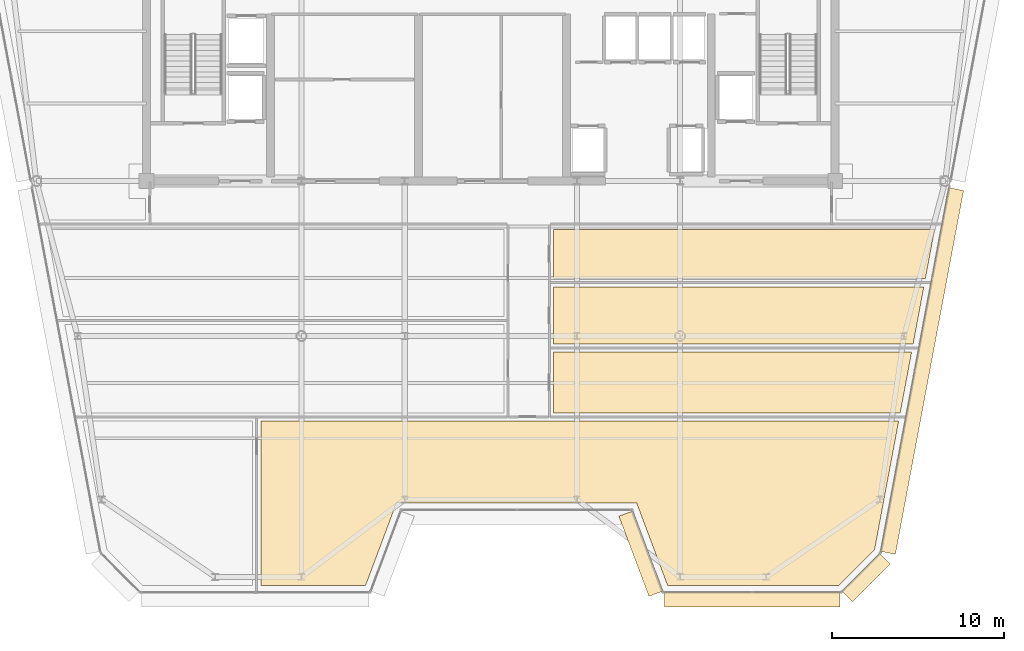
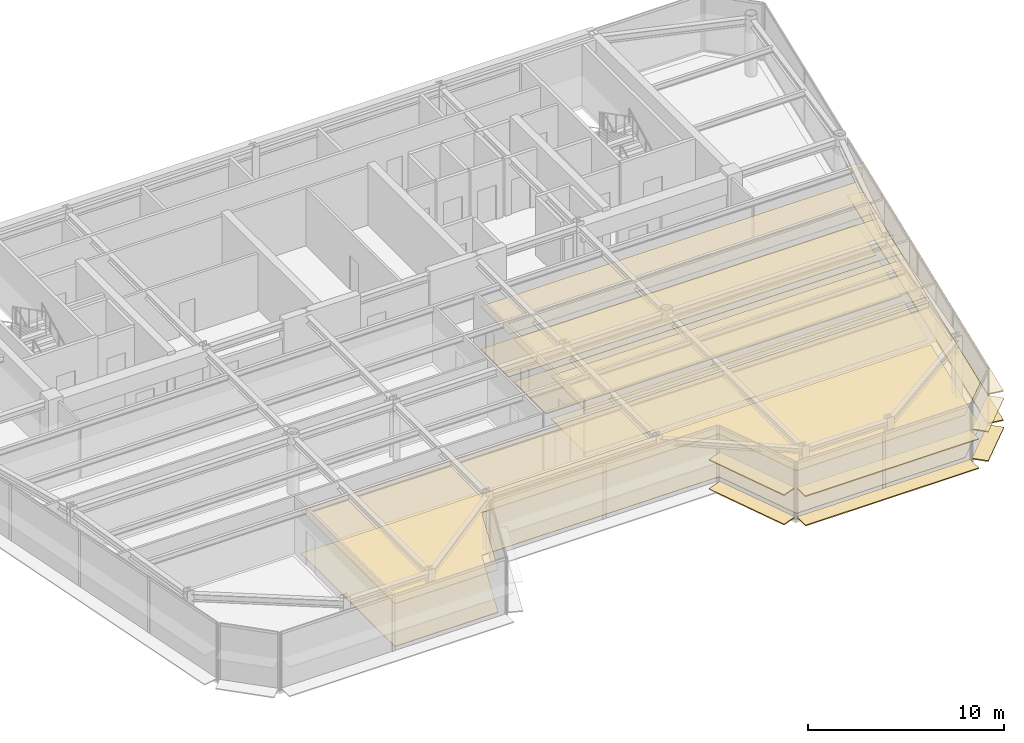
# One storey, part 16 of 20: 16 coverings.
"""IFC4 building model written with IfcOpenShell, lengths in metres."""

from ifc_helpers import new_model, si_unit, direction, frame, origin, origin_2d, place, context, subcontext, project, spatial, polyline, rectangle, outline, extrude, source, transform, mapped, material, layer, layer_set, type_object, element, save


model = new_model("IFC4")

# Units and contexts
model_context = context("Model", 3, precision=1e-05, world=origin(), true_north=direction((0.0, 1.0)))
body_context = subcontext(model_context, "Body", "Model", "MODEL_VIEW")
ifc_project = project(units=[si_unit("LENGTHUNIT", "METRE"), si_unit("AREAUNIT", "SQUARE_METRE"), si_unit("VOLUMEUNIT", "CUBIC_METRE"), si_unit("PLANEANGLEUNIT", "RADIAN"), si_unit("MASSUNIT", "GRAM", prefix="KILO")], contexts=[model_context])

# Site, building, storey
site_placement = place(None, origin())
site = spatial("IfcSite", under=ifc_project, at=site_placement, CompositionType="ELEMENT")
building_placement = place(site_placement, origin())
building = spatial("IfcBuilding", under=site, at=building_placement, Name="Vaeldorn Concourse Tower", CompositionType="ELEMENT")
storey_placement = place(building_placement, frame((0.0, 0.0, 295.39990234375)))
storey = spatial("IfcBuildingStorey", under=building, at=storey_placement, Name="L76", CompositionType="ELEMENT", Elevation=295.39990234375)

# Coverings
ifc_material_1 = material(Name="Acoustic Mineral Fibre Board", Category="gypsum")
ifc_layer_1 = layer(ifc_material_1, 0.0400390625)
ifc_layer_set_1 = layer_set([ifc_layer_1], Name="Acoustic Mineral Fibre Board")
covering_type_1 = type_object("IfcCoveringType", Name="COV-CEIL-ACOUSTIC", PredefinedType="CEILING", material=ifc_layer_set_1)
covering_1_placement = place(storey_placement, frame((0.0, 0.0, 2.650146484375)))
element("IfcCovering", 1, at=covering_1_placement, inside=storey, type_object=covering_type_1, Name="Suspended Acoustic Ceiling L76-8", PredefinedType="CEILING", context=body_context, shape_type="SweptSolid", body=[
    extrude(outline(polyline([(37.639892578125, 23.0400390625), (37.639892578125, 26.56005859375), (58.442626953125, 26.56005859375), (57.782958984375, 23.0400390625), (37.639892578125, 23.0400390625)])), origin(), (0.0, 0.0, 1.0), 0.0400390625),
])
covering_2_placement = place(storey_placement, frame((0.0, 0.0, 2.650146484375)))
element("IfcCovering", 2, at=covering_2_placement, inside=storey, type_object=covering_type_1, Name="Suspended Acoustic Ceiling L76-9", PredefinedType="CEILING", context=body_context, shape_type="SweptSolid", body=[
    extrude(outline(polyline([(37.639892578125, 30.360107421875), (59.155029296875, 30.360107421875), (58.53271484375, 27.0400390625), (37.639892578125, 27.0400390625), (37.639892578125, 30.360107421875)])), origin(), (0.0, 0.0, 1.0), 0.0400390625),
])
covering_3_placement = place(storey_placement, frame((0.0, 0.0, 2.650146484375)))
element("IfcCovering", 3, at=covering_3_placement, inside=storey, type_object=covering_type_1, Name="Suspended Acoustic Ceiling L76-10", PredefinedType="CEILING", context=body_context, shape_type="SweptSolid", body=[
    extrude(outline(polyline([(37.639892578125, 30.840087890625), (37.639892578125, 33.699951171875), (59.78125, 33.699951171875), (59.2451171875, 30.840087890625), (37.639892578125, 30.840087890625)])), origin(), (0.0, 0.0, 1.0), 0.0400390625),
])
covering_4_placement = place(storey_placement, frame((0.0, 0.0, 2.650146484375)))
element("IfcCovering", 4, at=covering_4_placement, inside=storey, type_object=covering_type_1, Name="Suspended Acoustic Ceiling L76-12", PredefinedType="CEILING", context=body_context, shape_type="SweptSolid", body=[
    extrude(outline(polyline([(26.722900390625, 13.0), (20.639892578125, 13.0), (20.639892578125, 22.56005859375), (57.69287109375, 22.56005859375), (56.4521484375, 15.941162109375), (56.4521484375, 15.941162109375), (56.293701171875, 15.09521484375), (54.1982421875, 13.0), (44.277099609375, 13.0), (42.477294921875, 17.800048828125), (28.522705078125, 17.800048828125), (26.722900390625, 13.0)])), origin(), (0.0, 0.0, 1.0), 0.0400390625),
])
ifc_material_2 = material(Name="Honed Limestone Terrazzo Flooring", Category="masonry")
ifc_layer_2 = layer(ifc_material_2, 0.0400390625)
ifc_layer_set_2 = layer_set([ifc_layer_2], Name="Honed Limestone Terrazzo Flooring")
covering_type_2 = type_object("IfcCoveringType", Name="COV-FLOOR-STONE", PredefinedType="FLOORING", material=ifc_layer_set_2)
covering_5_placement = place(storey_placement, origin())
element("IfcCovering", 5, at=covering_5_placement, inside=storey, type_object=covering_type_2, Name="Floor Finish Covering L76-8", PredefinedType="FLOORING", context=body_context, shape_type="SweptSolid", body=[
    extrude(outline(polyline([(37.639892578125, 23.0400390625), (37.639892578125, 26.56005859375), (58.442626953125, 26.56005859375), (57.782958984375, 23.0400390625), (37.639892578125, 23.0400390625)])), origin(), (0.0, 0.0, 1.0), 0.030029296875),
])
covering_6_placement = place(storey_placement, origin())
element("IfcCovering", 6, at=covering_6_placement, inside=storey, type_object=covering_type_2, Name="Floor Finish Covering L76-9", PredefinedType="FLOORING", context=body_context, shape_type="SweptSolid", body=[
    extrude(outline(polyline([(37.639892578125, 30.360107421875), (59.155029296875, 30.360107421875), (58.53271484375, 27.0400390625), (37.639892578125, 27.0400390625), (37.639892578125, 30.360107421875)])), origin(), (0.0, 0.0, 1.0), 0.030029296875),
])
covering_7_placement = place(storey_placement, origin())
element("IfcCovering", 7, at=covering_7_placement, inside=storey, type_object=covering_type_2, Name="Floor Finish Covering L76-10", PredefinedType="FLOORING", context=body_context, shape_type="SweptSolid", body=[
    extrude(outline(polyline([(37.639892578125, 30.840087890625), (37.639892578125, 33.699951171875), (59.78125, 33.699951171875), (59.2451171875, 30.840087890625), (37.639892578125, 30.840087890625)])), origin(), (0.0, 0.0, 1.0), 0.030029296875),
])
covering_8_placement = place(storey_placement, origin())
element("IfcCovering", 8, at=covering_8_placement, inside=storey, type_object=covering_type_2, Name="Floor Finish Covering L76-12", PredefinedType="FLOORING", context=body_context, shape_type="SweptSolid", body=[
    extrude(outline(polyline([(26.722900390625, 13.0), (20.639892578125, 13.0), (20.639892578125, 22.56005859375), (57.69287109375, 22.56005859375), (56.4521484375, 15.941162109375), (56.4521484375, 15.941162109375), (56.293701171875, 15.09521484375), (54.1982421875, 13.0), (44.277099609375, 13.0), (42.477294921875, 17.800048828125), (28.522705078125, 17.800048828125), (26.722900390625, 13.0)])), origin(), (0.0, 0.0, 1.0), 0.030029296875),
])
ifc_material_3 = material(Name="Anodised Bronze Aluminium", Category="aluminium")
ifc_layer_3 = layer(ifc_material_3, 0.06494140625)
ifc_layer_set_3 = layer_set([ifc_layer_3], Name="Anodised Bronze Aluminium")
covering_type_3 = type_object("IfcCoveringType", Name="SD-BRONZE-SUNSHADE", PredefinedType="USERDEFINED", material=ifc_layer_set_3)
shared_shape_1 = source(origin(), body_context, "Body", "SweptSolid", [
    extrude(rectangle(XDim=4.96630859375, YDim=0.8798828125, at=origin_2d()), origin(), (0.0, 0.0, 1.0), 0.06494140625),
])
for number, where, z_axis, x_axis, name in (
    (9, (42.7255859375, 14.859619140625, 0.047607421875), (0.0, 0.0, 1.0), (0.351122702609, -0.936329454686, 0.0), "Horizontal Bronze Sunshade L76-E04.1.1"),
    (10, (42.7255859375, 14.859619140625, 1.86767578125), (0.0, 0.0, 1.0), (0.351122702609, -0.936329454686, 0.0), "Horizontal Bronze Sunshade L76-E04.1.2"),
):
    element("IfcCovering", number, at=place(storey_placement, frame(where, z_axis=z_axis, x_axis=x_axis)), inside=storey, type_object=covering_type_3, Name=name, ObjectType="SUNSHADE", PredefinedType="USERDEFINED", context=body_context, shape_type="MappedRepresentation", body=[
        mapped(shared_shape_1, transform((0.0, 0.0, 0.0), scale=1.0)),
    ])
shared_shape_2 = source(origin(), body_context, "Body", "SweptSolid", [
    extrude(rectangle(XDim=3.0927734375, YDim=0.8798828125, at=origin_2d()), origin(), (0.0, 0.0, 1.0), 0.06494140625),
])
for number, where, z_axis, x_axis, name in (
    (11, (55.796875, 13.46728515625, 0.047607421875), (0.0, 0.0, 1.0), (0.707106781187, 0.707106781187, 0.0), "Horizontal Bronze Sunshade L76-E06.1.1"),
    (12, (55.796875, 13.46728515625, 1.86767578125), (0.0, 0.0, 1.0), (0.707106781187, 0.707106781187, 0.0), "Horizontal Bronze Sunshade L76-E06.1.2"),
):
    element("IfcCovering", number, at=place(storey_placement, frame(where, z_axis=z_axis, x_axis=x_axis)), inside=storey, type_object=covering_type_3, Name=name, ObjectType="SUNSHADE", PredefinedType="USERDEFINED", context=body_context, shape_type="MappedRepresentation", body=[
        mapped(shared_shape_2, transform((0.0, 0.0, 0.0), scale=1.0)),
    ])
shared_shape_3 = source(origin(), body_context, "Body", "SweptSolid", [
    extrude(rectangle(XDim=21.49560546875, YDim=0.8798828125, at=origin_2d()), origin(), (0.0, 0.0, 1.0), 0.06494140625),
])
for number, where, z_axis, x_axis, name in (
    (13, (59.05224609375, 25.46875, 0.047607421875), (0.0, 0.0, 1.0), (0.1842429853, 0.98288072642, 0.0), "Horizontal Bronze Sunshade L76-E07.1.1"),
    (14, (59.05224609375, 25.46875, 1.86767578125), (0.0, 0.0, 1.0), (0.1842429853, 0.98288072642, 0.0), "Horizontal Bronze Sunshade L76-E07.1.2"),
):
    element("IfcCovering", number, at=place(storey_placement, frame(where, z_axis=z_axis, x_axis=x_axis)), inside=storey, type_object=covering_type_3, Name=name, ObjectType="SUNSHADE", PredefinedType="USERDEFINED", context=body_context, shape_type="MappedRepresentation", body=[
        mapped(shared_shape_3, transform((0.0, 0.0, 0.0), scale=1.0)),
    ])
shared_shape_4 = source(origin(), body_context, "Body", "SweptSolid", [
    extrude(rectangle(XDim=10.2041015625, YDim=0.8798828125, at=origin_2d()), origin(), (0.0, 0.0, 1.0), 0.06494140625),
])
for number, where, z_axis, x_axis, name in (
    (15, (49.181884765625, 12.199951171875, 0.047607421875), (0.0, 0.0, 1.0), (1.0, 0.0, 0.0), "Horizontal Bronze Sunshade L76-E05.1.1"),
    (16, (49.181884765625, 12.199951171875, 1.86767578125), (0.0, 0.0, 1.0), (1.0, 0.0, 0.0), "Horizontal Bronze Sunshade L76-E05.1.2"),
):
    element("IfcCovering", number, at=place(storey_placement, frame(where, z_axis=z_axis, x_axis=x_axis)), inside=storey, type_object=covering_type_3, Name=name, ObjectType="SUNSHADE", PredefinedType="USERDEFINED", context=body_context, shape_type="MappedRepresentation", body=[
        mapped(shared_shape_4, transform((0.0, 0.0, 0.0), scale=1.0)),
    ])

save(model, "model.ifc")
